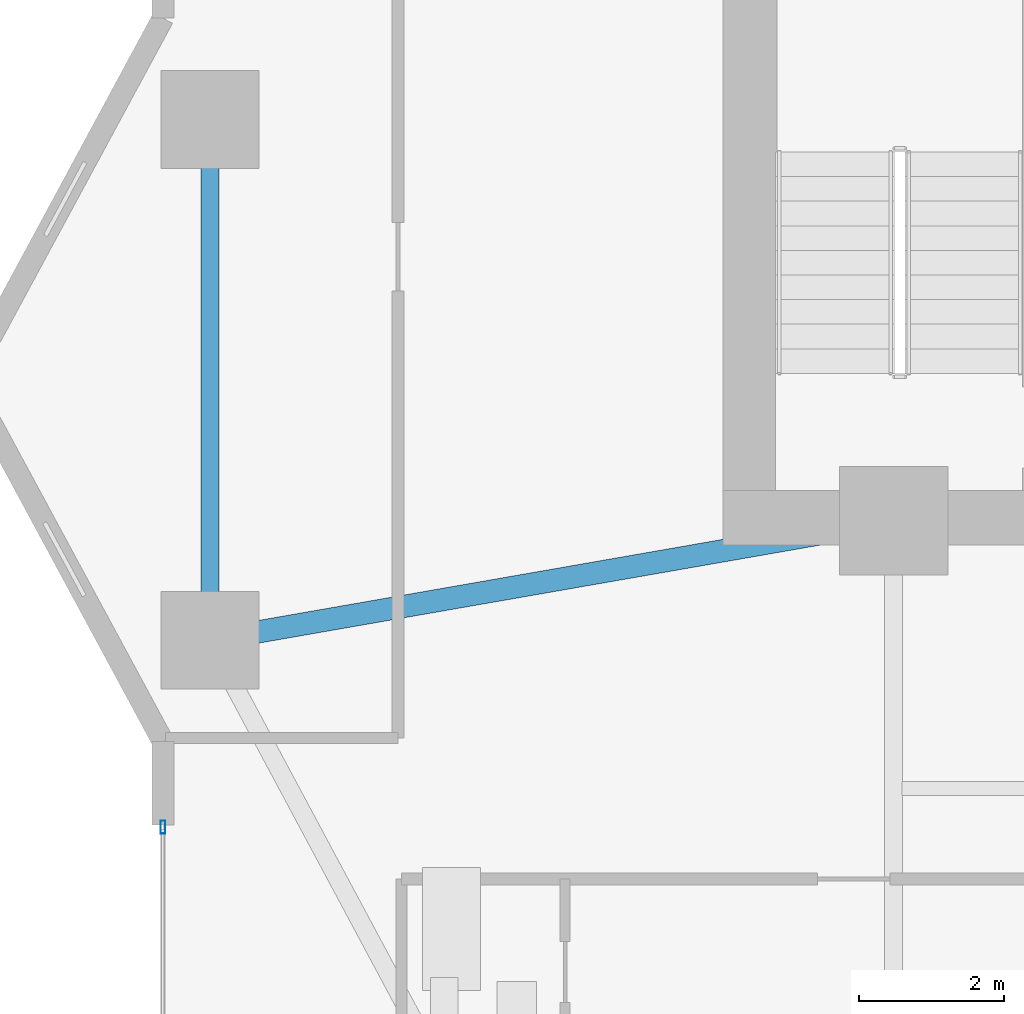
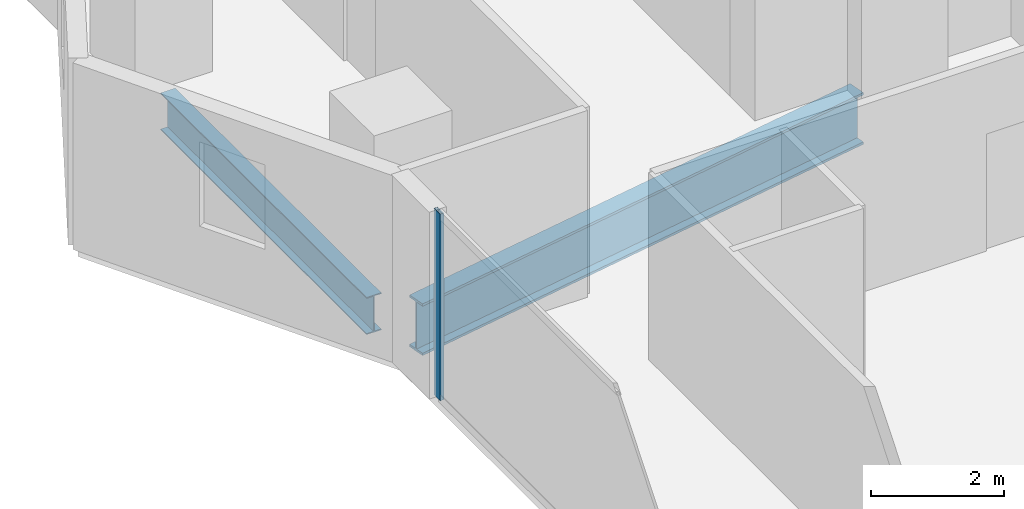
# One storey, part 7 of 30: 2 beams, 1 member, 1 element without a shape of its own.
"""IFC4 building model written with IfcOpenShell, lengths in metres."""

from ifc_helpers import new_model, si_unit, direction, frame, origin, origin_2d, place, context, subcontext, project, spatial, hollow_rectangle, i_section, extrude, material, layer, layer_set, material_profile, profile_set, type_object, element, aggregate, save


model = new_model("IFC4")

# Units and contexts
model_context = context("Model", 3, precision=1e-05, world=origin(), true_north=direction((0.0, 1.0)))
body_context = subcontext(model_context, "Body", "Model", "MODEL_VIEW")
ifc_project = project(units=[si_unit("LENGTHUNIT", "METRE"), si_unit("AREAUNIT", "SQUARE_METRE"), si_unit("VOLUMEUNIT", "CUBIC_METRE"), si_unit("PLANEANGLEUNIT", "RADIAN"), si_unit("MASSUNIT", "GRAM", prefix="KILO")], contexts=[model_context])

# Site, building, storey
site_placement = place(None, origin())
site = spatial("IfcSite", under=ifc_project, at=site_placement, CompositionType="ELEMENT")
building_placement = place(site_placement, origin())
building = spatial("IfcBuilding", under=site, at=building_placement, Name="Zuhayl Quay Hotel", CompositionType="ELEMENT")
storey_placement = place(building_placement, frame((0.0, 0.0, 128.5)))
storey = spatial("IfcBuildingStorey", under=building, at=storey_placement, Name="L32", CompositionType="ELEMENT", Elevation=128.5)

# Beams
ifc_material_1 = material(Name="Steel ASTM A992 Grade 50", Category="steel")
ifc_material_profile_1 = material_profile(ifc_material_1, i_section(OverallWidth=0.25390625, OverallDepth=0.68310546875, WebThickness=0.012451171875, FlangeThickness=0.018798828125, at=origin_2d()), Name="W27X94")
ifc_profile_set_1 = profile_set([ifc_material_profile_1], Name="Steel ASTM A992 Grade 50")
beam_type_1 = type_object("IfcBeamType", Name="BM_B2_W27X94", PredefinedType="BEAM", material=ifc_profile_set_1)
beam_1_placement = place(storey_placement, frame((-23.25, 9.60009765625, -0.5615234375), z_axis=(0.0, -1.0, 0.0), x_axis=(1.0, 0.0, 0.0)))
element("IfcBeam", 1, at=beam_1_placement, inside=storey, type_object=beam_type_1, Name="L32 Floor Beam RG_L32_11", PredefinedType="BEAM", context=body_context, shape_type="SweptSolid", body=[
    extrude(i_section(OverallWidth=0.25390625, OverallDepth=0.68310546875, WebThickness=0.012451171875, FlangeThickness=0.018798828125, at=origin_2d()), origin(), (0.0, 0.0, 1.0), 6.2001953125),
])
ifc_material_profile_2 = material_profile(ifc_material_1, i_section(OverallWidth=0.31005859375, OverallDepth=0.949951171875, WebThickness=0.0244140625, FlangeThickness=0.0439453125, at=origin_2d()), Name="W36X256")
ifc_profile_set_2 = profile_set([ifc_material_profile_2], Name="Steel ASTM A992 Grade 50")
beam_type_2 = type_object("IfcBeamType", Name="BM_PG1_W36X256", PredefinedType="BEAM", material=ifc_profile_set_2)
beam_2_placement = place(storey_placement, frame((-22.757568359375, 2.986083984375, -0.695068359375), z_axis=(0.985097302632, 0.171997977741, 0.0), x_axis=(-0.171997977741, 0.985097302632, 0.0)))
element("IfcBeam", 2, at=beam_2_placement, inside=storey, type_object=beam_type_2, Name="L32 Floor Beam FG_W_L32_1", PredefinedType="BEAM", context=body_context, shape_type="SweptSolid", body=[
    extrude(i_section(OverallWidth=0.31005859375, OverallDepth=0.949951171875, WebThickness=0.0244140625, FlangeThickness=0.0439453125, at=origin_2d()), origin(), (0.0, 0.0, 1.0), 8.64306640625),
])

# Curtain wall, member
ifc_material_2 = material(Name="Anodised Aluminium 6063-T6", Category="aluminium")
ifc_layer = layer(ifc_material_2, 0.179931640625, Name="Anodised Aluminium 6063-T6", Category="aluminium")
ifc_layer_set = layer_set([ifc_layer], Name="Anodised Aluminium 6063-T6")
curtain_wall_type = type_object("IfcCurtainWallType", Name="CW_SYS_Z2", PredefinedType="USERDEFINED", material=ifc_layer_set)
curtain_wall_placement = place(storey_placement, origin())
curtain_wall = element("IfcCurtainWall", 3, at=curtain_wall_placement, inside=storey, type_object=curtain_wall_type, Name="L32 Curtain Wall ENV_L32_E02_CW1", ObjectType="UNITISED CURTAIN WALL", PredefinedType="USERDEFINED")
ifc_material_3 = material(Name="Black-anodised aluminium 6063-T6", Category="aluminium")
ifc_material_profile_3 = material_profile(ifc_material_3, hollow_rectangle(XDim=0.06494140625, YDim=0.179931640625, WallThickness=0.00341796875, at=origin_2d()), Name="ALU180X65")
ifc_profile_set_3 = profile_set([ifc_material_profile_3], Name="Black-anodised aluminium 6063-T6")
member_type = type_object("IfcMemberType", Name="MB_CW_MUL_180", PredefinedType="MULLION", material=ifc_profile_set_3)
member_placement = place(storey_placement, frame((-23.89990234375, 0.3173828125, 0.0), z_axis=(0.0, 0.0, 1.0), x_axis=(-1.0, 0.0, 0.0)))
member = element("IfcMember", 4, at=member_placement, type_object=member_type, Name="CW-Z2 mullion 2", PredefinedType="MULLION", context=body_context, shape_type="SweptSolid", body=[
    extrude(hollow_rectangle(XDim=0.06494140625, YDim=0.179931640625, WallThickness=0.00341796875, at=origin_2d()), origin(), (0.0, 0.0, 1.0), 3.429931640625),
])
aggregate(curtain_wall, [member])

save(model, "model.ifc")
